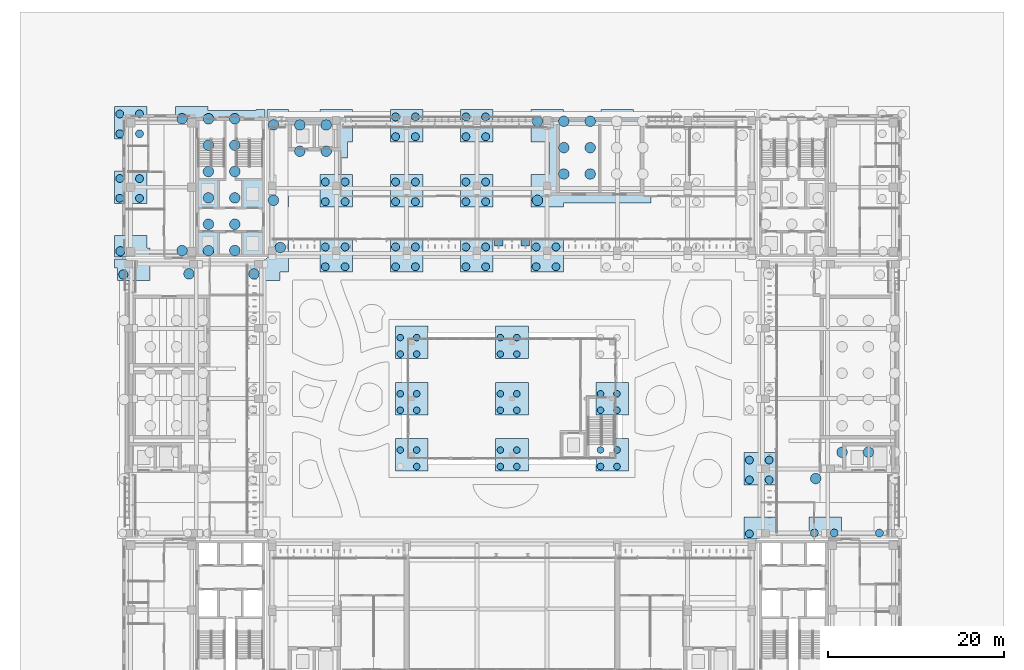
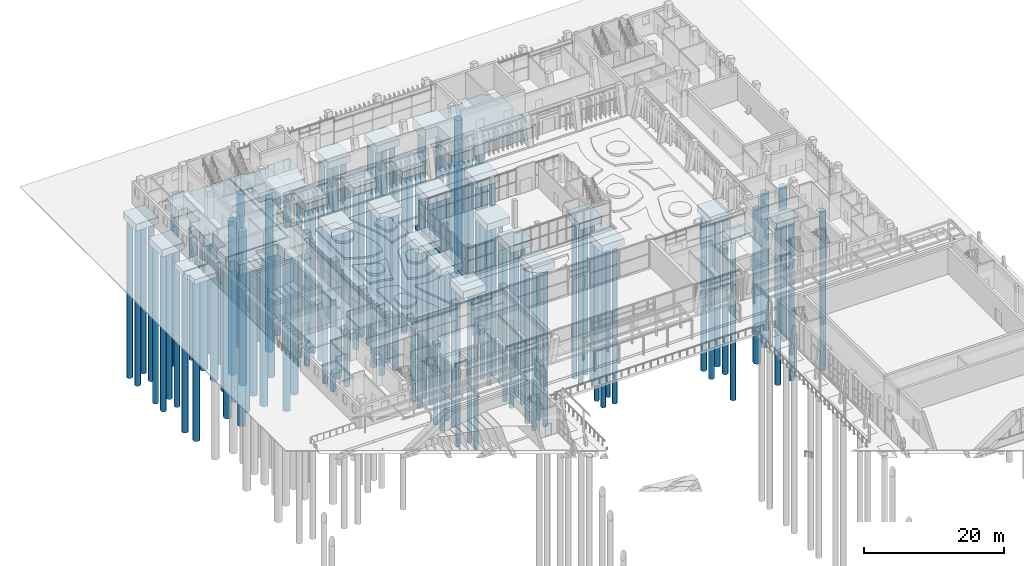
# One storey, part 2 of 144: 119 piles, 29 footings.
"""IFC4 building model written with IfcOpenShell, lengths in metres."""

from ifc_helpers import new_model, si_unit, direction, frame, origin, origin_2d, place, context, subcontext, project, spatial, polyline, rectangle, circle, outline, extrude, material, material_profile, profile_set, type_object, element, save


model = new_model("IFC4")

# Units and contexts
model_context = context("Model", 3, precision=1e-05, world=origin(), true_north=direction((0.0, 1.0)))
body_context = subcontext(model_context, "Body", "Model", "MODEL_VIEW")
ifc_project = project(units=[si_unit("LENGTHUNIT", "METRE"), si_unit("AREAUNIT", "SQUARE_METRE"), si_unit("VOLUMEUNIT", "CUBIC_METRE"), si_unit("PLANEANGLEUNIT", "RADIAN"), si_unit("MASSUNIT", "GRAM", prefix="KILO")], contexts=[model_context])

# Site, building, storey
site_placement = place(None, origin())
site = spatial("IfcSite", under=ifc_project, at=site_placement, CompositionType="ELEMENT")
building_placement = place(site_placement, origin())
building = spatial("IfcBuilding", under=site, at=building_placement, Name="Lantern Court Media Centre", CompositionType="ELEMENT")
storey_placement = place(building_placement, origin())
storey = spatial("IfcBuildingStorey", under=building, at=storey_placement, Name="L00", CompositionType="ELEMENT", Elevation=0.0)

# Piles
ifc_material = material(Name="Concrete C30", Category="concrete")
ifc_material_profile_1 = material_profile(ifc_material, circle(Radius=0.52490234375, at=origin_2d()), Name="D1050")
ifc_profile_set_1 = profile_set([ifc_material_profile_1], Name="Concrete C30")
pile_type_1 = type_object("IfcPileType", Name="BORED PILE D1050", PredefinedType="BORED", material=ifc_profile_set_1)
for number, where, z_axis, x_axis, name in (
    (1, (7.75830078125, 94.125, -2.25), (0.0, 0.0, -1.0), (1.0, 0.0, 0.0), "PL-025-000"),
    (2, (7.425048828125, 96.77490234375, -2.25), (0.0, 0.0, -1.0), (1.0, 0.0, 0.0), "PL-035-000"),
):
    element("IfcPile", number, at=place(storey_placement, frame(where, z_axis=z_axis, x_axis=x_axis)), inside=storey, type_object=pile_type_1, Name=name, PredefinedType="BORED", context=body_context, shape_type="SweptSolid", body=[
        extrude(circle(Radius=0.52490234375, at=origin_2d()), origin(), (0.0, 0.0, 1.0), 27.75),
    ])
ifc_material_profile_2 = material_profile(ifc_material, circle(Radius=0.60009765625, at=origin_2d()), Name="D1200")
ifc_profile_set_2 = profile_set([ifc_material_profile_2], Name="Concrete C30")
pile_type_2 = type_object("IfcPileType", Name="BORED PILE D1200", PredefinedType="BORED", material=ifc_profile_set_2)
for number, where, z_axis, x_axis, name in (
    (3, (86.566650390625, 70.89990234375, -3.25), (0.0, 0.0, -1.0), (1.0, 0.0, 0.0), "PL-011-000"),
    (4, (89.566650390625, 73.89990234375, -3.25), (0.0, 0.0, -1.0), (1.0, 0.0, 0.0), "PL-011-001"),
    (5, (92.566650390625, 73.89990234375, -3.25), (0.0, 0.0, -1.0), (1.0, 0.0, 0.0), "PL-011-007"),
    (6, (15.2333984375, 94.199951171875, -3.25), (0.0, 0.0, -1.0), (1.0, 0.0, 0.0), "PL-026-000"),
    (7, (22.63330078125, 94.199951171875, -3.25), (0.0, 0.0, -1.0), (1.0, 0.0, 0.0), "PL-026-001"),
    (8, (25.63330078125, 97.199951171875, -3.25), (0.0, 0.0, -1.0), (1.0, 0.0, 0.0), "PL-026-002"),
    (9, (24.85009765625, 102.566650390625, -3.25), (0.0, 0.0, -1.0), (1.0, 0.0, 0.0), "PL-026-003"),
    (10, (24.85009765625, 111.14990234375, -3.25), (0.0, 0.0, -1.0), (1.0, 0.0, 0.0), "PL-026-004"),
    (11, (27.85009765625, 108.14990234375, -3.25), (0.0, 0.0, -1.0), (1.0, 0.0, 0.0), "PL-026-005"),
    (12, (27.85009765625, 111.14990234375, -3.25), (0.0, 0.0, -1.0), (1.0, 0.0, 0.0), "PL-026-006"),
    (13, (30.85009765625, 108.14990234375, -3.25), (0.0, 0.0, -1.0), (1.0, 0.0, 0.0), "PL-026-007"),
    (14, (30.85009765625, 111.14990234375, -3.25), (0.0, 0.0, -1.0), (1.0, 0.0, 0.0), "PL-026-008"),
    (15, (14.449951171875, 96.85009765625, -3.25), (0.0, 0.0, -1.0), (1.0, 0.0, 0.0), "PL-036-000"),
    (16, (14.449951171875, 111.85009765625, -3.25), (0.0, 0.0, -1.0), (1.0, 0.0, 0.0), "PL-036-001"),
    (17, (17.449951171875, 96.85009765625, -3.25), (0.0, 0.0, -1.0), (1.0, 0.0, 0.0), "PL-036-002"),
    (18, (17.449951171875, 99.85009765625, -3.25), (0.0, 0.0, -1.0), (1.0, 0.0, 0.0), "PL-036-003"),
    (19, (17.449951171875, 102.85009765625, -3.25), (0.0, 0.0, -1.0), (1.0, 0.0, 0.0), "PL-036-004"),
    (20, (17.449951171875, 105.85009765625, -3.25), (0.0, 0.0, -1.0), (1.0, 0.0, 0.0), "PL-036-005"),
    (21, (17.449951171875, 108.85009765625, -3.25), (0.0, 0.0, -1.0), (1.0, 0.0, 0.0), "PL-036-006"),
    (22, (17.449951171875, 111.85009765625, -3.25), (0.0, 0.0, -1.0), (1.0, 0.0, 0.0), "PL-036-007"),
    (23, (20.449951171875, 96.85009765625, -3.25), (0.0, 0.0, -1.0), (1.0, 0.0, 0.0), "PL-036-008"),
    (24, (20.449951171875, 99.85009765625, -3.25), (0.0, 0.0, -1.0), (1.0, 0.0, 0.0), "PL-036-009"),
    (25, (20.449951171875, 102.85009765625, -3.25), (0.0, 0.0, -1.0), (1.0, 0.0, 0.0), "PL-036-010"),
    (26, (20.449951171875, 105.85009765625, -3.25), (0.0, 0.0, -1.0), (1.0, 0.0, 0.0), "PL-036-011"),
    (27, (20.449951171875, 108.85009765625, -3.25), (0.0, 0.0, -1.0), (1.0, 0.0, 0.0), "PL-036-012"),
    (28, (20.449951171875, 111.85009765625, -3.25), (0.0, 0.0, -1.0), (1.0, 0.0, 0.0), "PL-036-013"),
    (29, (54.89990234375, 102.566650390625, -3.25), (0.0, 0.0, -1.0), (1.0, 0.0, 0.0), "PL-042-000"),
    (30, (54.89990234375, 111.566650390625, -3.25), (0.0, 0.0, -1.0), (1.0, 0.0, 0.0), "PL-042-001"),
    (31, (57.89990234375, 105.566650390625, -3.25), (0.0, 0.0, -1.0), (1.0, 0.0, 0.0), "PL-042-002"),
    (32, (57.89990234375, 108.566650390625, -3.25), (0.0, 0.0, -1.0), (1.0, 0.0, 0.0), "PL-042-003"),
    (33, (57.89990234375, 111.566650390625, -3.25), (0.0, 0.0, -1.0), (1.0, 0.0, 0.0), "PL-042-004"),
    (34, (60.89990234375, 105.566650390625, -3.25), (0.0, 0.0, -1.0), (1.0, 0.0, 0.0), "PL-042-005"),
    (35, (60.89990234375, 108.566650390625, -3.25), (0.0, 0.0, -1.0), (1.0, 0.0, 0.0), "PL-042-006"),
    (36, (60.89990234375, 111.566650390625, -3.25), (0.0, 0.0, -1.0), (1.0, 0.0, 0.0), "PL-042-007"),
):
    element("IfcPile", number, at=place(storey_placement, frame(where, z_axis=z_axis, x_axis=x_axis)), inside=storey, type_object=pile_type_2, Name=name, PredefinedType="BORED", context=body_context, shape_type="SweptSolid", body=[
        extrude(circle(Radius=0.60009765625, at=origin_2d()), origin(), (0.0, 0.0, 1.0), 26.75),
    ])
ifc_material_profile_3 = material_profile(ifc_material, circle(Radius=0.375, at=origin_2d()), Name="D750")
ifc_profile_set_3 = profile_set([ifc_material_profile_3], Name="Concrete C30")
pile_type_3 = type_object("IfcPileType", Name="BORED PILE D750", PredefinedType="BORED", material=ifc_profile_set_3)
for number, where, z_axis, x_axis, name in (
    (37, (39.27490234375, 74.14990234375, -2.64990234375), (0.0, 0.0, -1.0), (1.0, 0.0, 0.0), "PL-012-001"),
    (38, (41.14990234375, 72.27490234375, -2.64990234375), (0.0, 0.0, -1.0), (1.0, 0.0, 0.0), "PL-012-002"),
    (39, (41.14990234375, 74.14990234375, -2.64990234375), (0.0, 0.0, -1.0), (1.0, 0.0, 0.0), "PL-012-003"),
    (40, (50.675048828125, 72.27490234375, -2.64990234375), (0.0, 0.0, -1.0), (1.0, 0.0, 0.0), "PL-013-000"),
    (41, (50.675048828125, 74.14990234375, -2.64990234375), (0.0, 0.0, -1.0), (1.0, 0.0, 0.0), "PL-013-001"),
    (42, (52.550048828125, 72.27490234375, -2.64990234375), (0.0, 0.0, -1.0), (1.0, 0.0, 0.0), "PL-013-002"),
    (43, (52.550048828125, 74.14990234375, -2.64990234375), (0.0, 0.0, -1.0), (1.0, 0.0, 0.0), "PL-013-003"),
    (44, (62.074951171875, 72.27490234375, -2.64990234375), (0.0, 0.0, -1.0), (1.0, 0.0, 0.0), "PL-014-000"),
    (45, (62.074951171875, 74.14990234375, -2.64990234375), (0.0, 0.0, -1.0), (1.0, 0.0, 0.0), "PL-014-001"),
    (46, (63.949951171875, 72.27490234375, -2.64990234375), (0.0, 0.0, -1.0), (1.0, 0.0, 0.0), "PL-014-002"),
    (47, (63.949951171875, 74.14990234375, -2.64990234375), (0.0, 0.0, -1.0), (1.0, 0.0, 0.0), "PL-014-003"),
    (48, (39.27490234375, 78.675048828125, -2.64990234375), (0.0, 0.0, -1.0), (1.0, 0.0, 0.0), "PL-016-000"),
    (49, (39.27490234375, 80.550048828125, -2.64990234375), (0.0, 0.0, -1.0), (1.0, 0.0, 0.0), "PL-016-001"),
    (50, (41.14990234375, 78.675048828125, -2.64990234375), (0.0, 0.0, -1.0), (1.0, 0.0, 0.0), "PL-016-002"),
    (51, (41.14990234375, 80.550048828125, -2.64990234375), (0.0, 0.0, -1.0), (1.0, 0.0, 0.0), "PL-016-003"),
    (52, (50.675048828125, 78.675048828125, -2.64990234375), (0.0, 0.0, -1.0), (1.0, 0.0, 0.0), "PL-017-000"),
    (53, (50.675048828125, 80.550048828125, -2.64990234375), (0.0, 0.0, -1.0), (1.0, 0.0, 0.0), "PL-017-001"),
    (54, (52.550048828125, 78.675048828125, -2.64990234375), (0.0, 0.0, -1.0), (1.0, 0.0, 0.0), "PL-017-002"),
    (55, (52.550048828125, 80.550048828125, -2.64990234375), (0.0, 0.0, -1.0), (1.0, 0.0, 0.0), "PL-017-003"),
    (56, (62.074951171875, 78.675048828125, -2.64990234375), (0.0, 0.0, -1.0), (1.0, 0.0, 0.0), "PL-018-000"),
    (57, (62.074951171875, 80.550048828125, -2.64990234375), (0.0, 0.0, -1.0), (1.0, 0.0, 0.0), "PL-018-001"),
    (58, (63.949951171875, 78.675048828125, -2.64990234375), (0.0, 0.0, -1.0), (1.0, 0.0, 0.0), "PL-018-002"),
    (59, (63.949951171875, 80.550048828125, -2.64990234375), (0.0, 0.0, -1.0), (1.0, 0.0, 0.0), "PL-018-003"),
    (60, (39.27490234375, 85.074951171875, -2.64990234375), (0.0, 0.0, -1.0), (1.0, 0.0, 0.0), "PL-020-000"),
    (61, (39.27490234375, 86.949951171875, -2.64990234375), (0.0, 0.0, -1.0), (1.0, 0.0, 0.0), "PL-020-001"),
    (62, (41.14990234375, 85.074951171875, -2.64990234375), (0.0, 0.0, -1.0), (1.0, 0.0, 0.0), "PL-020-002"),
    (63, (41.14990234375, 86.949951171875, -2.64990234375), (0.0, 0.0, -1.0), (1.0, 0.0, 0.0), "PL-020-003"),
    (64, (50.675048828125, 85.074951171875, -2.64990234375), (0.0, 0.0, -1.0), (1.0, 0.0, 0.0), "PL-021-000"),
    (65, (50.675048828125, 86.949951171875, -2.64990234375), (0.0, 0.0, -1.0), (1.0, 0.0, 0.0), "PL-021-001"),
    (66, (52.550048828125, 85.074951171875, -2.64990234375), (0.0, 0.0, -1.0), (1.0, 0.0, 0.0), "PL-021-002"),
    (67, (52.550048828125, 86.949951171875, -2.64990234375), (0.0, 0.0, -1.0), (1.0, 0.0, 0.0), "PL-021-003"),
):
    element("IfcPile", number, at=place(storey_placement, frame(where, z_axis=z_axis, x_axis=x_axis)), inside=storey, type_object=pile_type_3, Name=name, PredefinedType="BORED", context=body_context, shape_type="SweptSolid", body=[
        extrude(circle(Radius=0.375, at=origin_2d()), origin(), (0.0, 0.0, 1.0), 27.35009765625),
    ])
ifc_material_profile_4 = material_profile(ifc_material, circle(Radius=0.449951171875, at=origin_2d()), Name="D900")
ifc_profile_set_4 = profile_set([ifc_material_profile_4], Name="Concrete C30")
pile_type_4 = type_object("IfcPileType", Name="BORED PILE D900", PredefinedType="BORED", material=ifc_profile_set_4)
pile_placement = place(storey_placement, frame((79.0166015625, 64.6201171875, -2.25), z_axis=(0.0, 0.0, -1.0), x_axis=(1.0, 0.0, 0.0)))
element("IfcPile", 68, at=pile_placement, inside=storey, type_object=pile_type_4, Name="PL-003-000", PredefinedType="BORED", context=body_context, shape_type="SweptSolid", body=[
    extrude(circle(Radius=0.449951171875, at=origin_2d()), origin(), (0.0, 0.0, 1.0), 27.75),
])
for number, where, z_axis, x_axis, name in (
    (69, (86.416748046875, 64.699951171875, -2.35009765625), (0.0, 0.0, -1.0), (1.0, 0.0, 0.0), "PL-006-000"),
    (70, (88.666748046875, 64.699951171875, -2.35009765625), (0.0, 0.0, -1.0), (1.0, 0.0, 0.0), "PL-006-001"),
    (71, (93.816650390625, 64.699951171875, -2.35009765625), (0.0, 0.0, -1.0), (1.0, 0.0, 0.0), "PL-007-000"),
):
    element("IfcPile", number, at=place(storey_placement, frame(where, z_axis=z_axis, x_axis=x_axis)), inside=storey, type_object=pile_type_4, Name=name, PredefinedType="BORED", context=body_context, shape_type="SweptSolid", body=[
        extrude(circle(Radius=0.449951171875, at=origin_2d()), origin(), (0.0, 0.0, 1.0), 27.64990234375),
    ])
for number, where, z_axis, x_axis, name in (
    (72, (79.0166015625, 70.75, -2.64990234375), (0.0, 0.0, -1.0), (1.0, 0.0, 0.0), "PL-010-000"),
    (73, (79.0166015625, 73.0, -2.64990234375), (0.0, 0.0, -1.0), (1.0, 0.0, 0.0), "PL-010-001"),
    (74, (81.2666015625, 70.75, -2.64990234375), (0.0, 0.0, -1.0), (1.0, 0.0, 0.0), "PL-010-002"),
    (75, (81.2666015625, 73.0, -2.64990234375), (0.0, 0.0, -1.0), (1.0, 0.0, 0.0), "PL-010-003"),
    (76, (30.75, 95.0166015625, -2.64990234375), (0.0, 0.0, -1.0), (1.0, 0.0, 0.0), "PL-029-000"),
    (77, (30.75, 97.2666015625, -2.64990234375), (0.0, 0.0, -1.0), (1.0, 0.0, 0.0), "PL-029-001"),
    (78, (33.0, 95.0166015625, -2.64990234375), (0.0, 0.0, -1.0), (1.0, 0.0, 0.0), "PL-029-002"),
    (79, (33.0, 97.2666015625, -2.64990234375), (0.0, 0.0, -1.0), (1.0, 0.0, 0.0), "PL-029-003"),
    (80, (38.75, 95.0166015625, -2.64990234375), (0.0, 0.0, -1.0), (1.0, 0.0, 0.0), "PL-030-000"),
    (81, (38.75, 97.2666015625, -2.64990234375), (0.0, 0.0, -1.0), (1.0, 0.0, 0.0), "PL-030-001"),
    (82, (41.0, 95.0166015625, -2.64990234375), (0.0, 0.0, -1.0), (1.0, 0.0, 0.0), "PL-030-002"),
    (83, (41.0, 97.2666015625, -2.64990234375), (0.0, 0.0, -1.0), (1.0, 0.0, 0.0), "PL-030-003"),
    (84, (46.75, 95.0166015625, -2.64990234375), (0.0, 0.0, -1.0), (1.0, 0.0, 0.0), "PL-031-000"),
    (85, (46.75, 97.2666015625, -2.64990234375), (0.0, 0.0, -1.0), (1.0, 0.0, 0.0), "PL-031-001"),
    (86, (49.0, 95.0166015625, -2.64990234375), (0.0, 0.0, -1.0), (1.0, 0.0, 0.0), "PL-031-002"),
    (87, (49.0, 97.2666015625, -2.64990234375), (0.0, 0.0, -1.0), (1.0, 0.0, 0.0), "PL-031-003"),
    (88, (54.75, 95.0166015625, -2.64990234375), (0.0, 0.0, -1.0), (1.0, 0.0, 0.0), "PL-032-000"),
    (89, (54.75, 97.2666015625, -2.64990234375), (0.0, 0.0, -1.0), (1.0, 0.0, 0.0), "PL-032-001"),
    (90, (57.0, 95.0166015625, -2.64990234375), (0.0, 0.0, -1.0), (1.0, 0.0, 0.0), "PL-032-002"),
    (91, (57.0, 97.2666015625, -2.64990234375), (0.0, 0.0, -1.0), (1.0, 0.0, 0.0), "PL-032-003"),
    (92, (30.75, 102.416748046875, -2.64990234375), (0.0, 0.0, -1.0), (1.0, 0.0, 0.0), "PL-039-000"),
    (93, (30.75, 104.666748046875, -2.64990234375), (0.0, 0.0, -1.0), (1.0, 0.0, 0.0), "PL-039-001"),
    (94, (33.0, 102.416748046875, -2.64990234375), (0.0, 0.0, -1.0), (1.0, 0.0, 0.0), "PL-039-002"),
    (95, (33.0, 104.666748046875, -2.64990234375), (0.0, 0.0, -1.0), (1.0, 0.0, 0.0), "PL-039-003"),
    (96, (38.75, 102.416748046875, -2.64990234375), (0.0, 0.0, -1.0), (1.0, 0.0, 0.0), "PL-040-000"),
    (97, (38.75, 104.666748046875, -2.64990234375), (0.0, 0.0, -1.0), (1.0, 0.0, 0.0), "PL-040-001"),
    (98, (41.0, 102.416748046875, -2.64990234375), (0.0, 0.0, -1.0), (1.0, 0.0, 0.0), "PL-040-002"),
    (99, (41.0, 104.666748046875, -2.64990234375), (0.0, 0.0, -1.0), (1.0, 0.0, 0.0), "PL-040-003"),
    (100, (46.75, 102.416748046875, -2.64990234375), (0.0, 0.0, -1.0), (1.0, 0.0, 0.0), "PL-041-000"),
    (101, (46.75, 104.666748046875, -2.64990234375), (0.0, 0.0, -1.0), (1.0, 0.0, 0.0), "PL-041-001"),
    (102, (49.0, 102.416748046875, -2.64990234375), (0.0, 0.0, -1.0), (1.0, 0.0, 0.0), "PL-041-002"),
    (103, (49.0, 104.666748046875, -2.64990234375), (0.0, 0.0, -1.0), (1.0, 0.0, 0.0), "PL-041-003"),
    (104, (7.35009765625, 102.800048828125, -2.64990234375), (0.0, 0.0, -1.0), (1.0, 0.0, 0.0), "PL-044-000"),
    (105, (7.35009765625, 105.050048828125, -2.64990234375), (0.0, 0.0, -1.0), (1.0, 0.0, 0.0), "PL-044-001"),
    (106, (9.60009765625, 102.800048828125, -2.64990234375), (0.0, 0.0, -1.0), (1.0, 0.0, 0.0), "PL-044-002"),
    (107, (9.60009765625, 105.050048828125, -2.64990234375), (0.0, 0.0, -1.0), (1.0, 0.0, 0.0), "PL-044-003"),
    (108, (38.75, 109.816650390625, -2.64990234375), (0.0, 0.0, -1.0), (1.0, 0.0, 0.0), "PL-046-000"),
    (109, (38.75, 112.066650390625, -2.64990234375), (0.0, 0.0, -1.0), (1.0, 0.0, 0.0), "PL-046-001"),
    (110, (41.0, 109.816650390625, -2.64990234375), (0.0, 0.0, -1.0), (1.0, 0.0, 0.0), "PL-046-002"),
    (111, (41.0, 112.066650390625, -2.64990234375), (0.0, 0.0, -1.0), (1.0, 0.0, 0.0), "PL-046-003"),
    (112, (46.75, 109.816650390625, -2.64990234375), (0.0, 0.0, -1.0), (1.0, 0.0, 0.0), "PL-047-000"),
    (113, (46.75, 112.066650390625, -2.64990234375), (0.0, 0.0, -1.0), (1.0, 0.0, 0.0), "PL-047-001"),
    (114, (49.0, 109.816650390625, -2.64990234375), (0.0, 0.0, -1.0), (1.0, 0.0, 0.0), "PL-047-002"),
    (115, (49.0, 112.066650390625, -2.64990234375), (0.0, 0.0, -1.0), (1.0, 0.0, 0.0), "PL-047-003"),
    (116, (7.35009765625, 110.14990234375, -2.64990234375), (0.0, 0.0, -1.0), (1.0, 0.0, 0.0), "PL-049-000"),
    (117, (7.35009765625, 112.39990234375, -2.64990234375), (0.0, 0.0, -1.0), (1.0, 0.0, 0.0), "PL-049-001"),
    (118, (9.60009765625, 110.14990234375, -2.64990234375), (0.0, 0.0, -1.0), (1.0, 0.0, 0.0), "PL-049-002"),
    (119, (9.60009765625, 112.39990234375, -2.64990234375), (0.0, 0.0, -1.0), (1.0, 0.0, 0.0), "PL-049-003"),
):
    element("IfcPile", number, at=place(storey_placement, frame(where, z_axis=z_axis, x_axis=x_axis)), inside=storey, type_object=pile_type_4, Name=name, PredefinedType="BORED", context=body_context, shape_type="SweptSolid", body=[
        extrude(circle(Radius=0.449951171875, at=origin_2d()), origin(), (0.0, 0.0, 1.0), 27.35009765625),
    ])

# Footings
footing_type_1 = type_object("IfcFootingType", Name="Colonnade post pad footing 1000x1000x600", PredefinedType="PAD_FOOTING", material=ifc_material)
for number, where, z_axis, x_axis, name in (
    (120, (50.5, 97.860107421875, -0.85009765625), (0.0, 0.0, 1.0), (1.0, 0.0, 0.0), "Court bridge north pier pad 1"),
    (121, (53.5, 97.860107421875, -0.85009765625), (0.0, 0.0, 1.0), (1.0, 0.0, 0.0), "Court bridge north pier pad 2"),
):
    element("IfcFooting", number, at=place(storey_placement, frame(where, z_axis=z_axis, x_axis=x_axis)), inside=storey, type_object=footing_type_1, Name=name, PredefinedType="PAD_FOOTING", context=body_context, shape_type="SweptSolid", body=[
        extrude(rectangle(XDim=1.0, YDim=1.0, at=origin_2d()), origin(), (0.0, 0.0, 1.0), 0.60009765625),
    ])
footing_type_2 = type_object("IfcFootingType", Name="PILE CAP 1200", PredefinedType="PILE_CAP", material=ifc_material)
footing_1_placement = place(storey_placement, frame((0.0, 0.0, -2.800048828125)))
element("IfcFooting", 122, at=footing_1_placement, inside=storey, type_object=footing_type_2, Name="PC-010", PredefinedType="PILE_CAP", context=body_context, shape_type="SweptSolid", body=[
    extrude(outline(polyline([(78.416748046875, 70.14990234375), (78.416748046875, 73.85009765625), (82.11669921875, 73.85009765625), (82.11669921875, 70.14990234375), (78.416748046875, 70.14990234375)])), origin(), (0.0, 0.0, 1.0), 1.199951171875),
])
footing_2_placement = place(storey_placement, frame((0.0, 0.0, -2.800048828125)))
element("IfcFooting", 123, at=footing_2_placement, inside=storey, type_object=footing_type_2, Name="PC-012", PredefinedType="PILE_CAP", context=body_context, shape_type="SweptSolid", body=[
    extrude(outline(polyline([(38.75, 71.75), (38.75, 75.449951171875), (42.449951171875, 75.449951171875), (42.449951171875, 71.75), (38.75, 71.75)])), origin(), (0.0, 0.0, 1.0), 1.199951171875),
])
footing_3_placement = place(storey_placement, frame((0.0, 0.0, -2.800048828125)))
element("IfcFooting", 124, at=footing_3_placement, inside=storey, type_object=footing_type_2, Name="PC-013", PredefinedType="PILE_CAP", context=body_context, shape_type="SweptSolid", body=[
    extrude(outline(polyline([(53.85009765625, 71.75), (50.14990234375, 71.75), (50.14990234375, 75.449951171875), (53.85009765625, 75.449951171875), (53.85009765625, 71.75)])), origin(), (0.0, 0.0, 1.0), 1.199951171875),
])
footing_4_placement = place(storey_placement, frame((0.0, 0.0, -2.800048828125)))
element("IfcFooting", 125, at=footing_4_placement, inside=storey, type_object=footing_type_2, Name="PC-014", PredefinedType="PILE_CAP", context=body_context, shape_type="SweptSolid", body=[
    extrude(outline(polyline([(61.550048828125, 71.75), (61.550048828125, 75.449951171875), (65.25, 75.449951171875), (65.25, 71.75), (61.550048828125, 71.75)])), origin(), (0.0, 0.0, 1.0), 1.199951171875),
])
footing_5_placement = place(storey_placement, frame((0.0, 0.0, -2.800048828125)))
element("IfcFooting", 126, at=footing_5_placement, inside=storey, type_object=footing_type_2, Name="PC-016", PredefinedType="PILE_CAP", context=body_context, shape_type="SweptSolid", body=[
    extrude(outline(polyline([(42.449951171875, 78.14990234375), (38.75, 78.14990234375), (38.75, 81.85009765625), (42.449951171875, 81.85009765625), (42.449951171875, 78.14990234375)])), origin(), (0.0, 0.0, 1.0), 1.199951171875),
])
footing_6_placement = place(storey_placement, frame((0.0, 0.0, -2.800048828125)))
element("IfcFooting", 127, at=footing_6_placement, inside=storey, type_object=footing_type_2, Name="PC-017", PredefinedType="PILE_CAP", context=body_context, shape_type="SweptSolid", body=[
    extrude(outline(polyline([(50.14990234375, 78.14990234375), (50.14990234375, 81.85009765625), (53.85009765625, 81.85009765625), (53.85009765625, 78.14990234375), (50.14990234375, 78.14990234375)])), origin(), (0.0, 0.0, 1.0), 1.199951171875),
])
footing_7_placement = place(storey_placement, frame((0.0, 0.0, -2.800048828125)))
element("IfcFooting", 128, at=footing_7_placement, inside=storey, type_object=footing_type_2, Name="PC-018", PredefinedType="PILE_CAP", context=body_context, shape_type="SweptSolid", body=[
    extrude(outline(polyline([(65.25, 78.14990234375), (61.550048828125, 78.14990234375), (61.550048828125, 81.85009765625), (65.25, 81.85009765625), (65.25, 78.14990234375)])), origin(), (0.0, 0.0, 1.0), 1.199951171875),
])
footing_8_placement = place(storey_placement, frame((0.0, 0.0, -2.800048828125)))
element("IfcFooting", 129, at=footing_8_placement, inside=storey, type_object=footing_type_2, Name="PC-020", PredefinedType="PILE_CAP", context=body_context, shape_type="SweptSolid", body=[
    extrude(outline(polyline([(42.449951171875, 84.550048828125), (38.75, 84.550048828125), (38.75, 88.25), (42.449951171875, 88.25), (42.449951171875, 84.550048828125)])), origin(), (0.0, 0.0, 1.0), 1.199951171875),
])
footing_9_placement = place(storey_placement, frame((0.0, 0.0, -2.800048828125)))
element("IfcFooting", 130, at=footing_9_placement, inside=storey, type_object=footing_type_2, Name="PC-021", PredefinedType="PILE_CAP", context=body_context, shape_type="SweptSolid", body=[
    extrude(outline(polyline([(53.85009765625, 84.550048828125), (50.14990234375, 84.550048828125), (50.14990234375, 88.25), (53.85009765625, 88.25), (53.85009765625, 84.550048828125)])), origin(), (0.0, 0.0, 1.0), 1.199951171875),
])
footing_10_placement = place(storey_placement, frame((0.0, 0.0, -2.800048828125)))
element("IfcFooting", 131, at=footing_10_placement, inside=storey, type_object=footing_type_2, Name="PC-029", PredefinedType="PILE_CAP", context=body_context, shape_type="SweptSolid", body=[
    extrude(outline(polyline([(30.14990234375, 94.416748046875), (30.14990234375, 98.11669921875), (33.85009765625, 98.11669921875), (33.85009765625, 94.416748046875), (30.14990234375, 94.416748046875)])), origin(), (0.0, 0.0, 1.0), 1.199951171875),
])
footing_11_placement = place(storey_placement, frame((0.0, 0.0, -2.800048828125)))
element("IfcFooting", 132, at=footing_11_placement, inside=storey, type_object=footing_type_2, Name="PC-030", PredefinedType="PILE_CAP", context=body_context, shape_type="SweptSolid", body=[
    extrude(outline(polyline([(41.85009765625, 94.416748046875), (38.14990234375, 94.416748046875), (38.14990234375, 98.11669921875), (41.85009765625, 98.11669921875), (41.85009765625, 94.416748046875)])), origin(), (0.0, 0.0, 1.0), 1.199951171875),
])
footing_12_placement = place(storey_placement, frame((0.0, 0.0, -2.800048828125)))
element("IfcFooting", 133, at=footing_12_placement, inside=storey, type_object=footing_type_2, Name="PC-031", PredefinedType="PILE_CAP", context=body_context, shape_type="SweptSolid", body=[
    extrude(outline(polyline([(49.85009765625, 94.416748046875), (46.14990234375, 94.416748046875), (46.14990234375, 98.11669921875), (49.85009765625, 98.11669921875), (49.85009765625, 94.416748046875)])), origin(), (0.0, 0.0, 1.0), 1.199951171875),
])
footing_13_placement = place(storey_placement, frame((0.0, 0.0, -2.800048828125)))
element("IfcFooting", 134, at=footing_13_placement, inside=storey, type_object=footing_type_2, Name="PC-032", PredefinedType="PILE_CAP", context=body_context, shape_type="SweptSolid", body=[
    extrude(outline(polyline([(57.85009765625, 94.416748046875), (54.14990234375, 94.416748046875), (54.14990234375, 98.11669921875), (57.85009765625, 98.11669921875), (57.85009765625, 94.416748046875)])), origin(), (0.0, 0.0, 1.0), 1.199951171875),
])
footing_14_placement = place(storey_placement, frame((0.0, 0.0, -2.800048828125)))
element("IfcFooting", 135, at=footing_14_placement, inside=storey, type_object=footing_type_2, Name="PC-039", PredefinedType="PILE_CAP", context=body_context, shape_type="SweptSolid", body=[
    extrude(outline(polyline([(33.85009765625, 101.816650390625), (30.14990234375, 101.816650390625), (30.14990234375, 105.5166015625), (33.85009765625, 105.5166015625), (33.85009765625, 101.816650390625)])), origin(), (0.0, 0.0, 1.0), 1.199951171875),
])
footing_15_placement = place(storey_placement, frame((0.0, 0.0, -2.800048828125)))
element("IfcFooting", 136, at=footing_15_placement, inside=storey, type_object=footing_type_2, Name="PC-040", PredefinedType="PILE_CAP", context=body_context, shape_type="SweptSolid", body=[
    extrude(outline(polyline([(41.85009765625, 101.816650390625), (38.14990234375, 101.816650390625), (38.14990234375, 105.5166015625), (41.85009765625, 105.5166015625), (41.85009765625, 101.816650390625)])), origin(), (0.0, 0.0, 1.0), 1.199951171875),
])
footing_16_placement = place(storey_placement, frame((0.0, 0.0, -2.800048828125)))
element("IfcFooting", 137, at=footing_16_placement, inside=storey, type_object=footing_type_2, Name="PC-041", PredefinedType="PILE_CAP", context=body_context, shape_type="SweptSolid", body=[
    extrude(outline(polyline([(46.14990234375, 101.816650390625), (46.14990234375, 105.5166015625), (49.85009765625, 105.5166015625), (49.85009765625, 101.816650390625), (46.14990234375, 101.816650390625)])), origin(), (0.0, 0.0, 1.0), 1.199951171875),
])
footing_17_placement = place(storey_placement, frame((0.0, 0.0, -2.800048828125)))
element("IfcFooting", 138, at=footing_17_placement, inside=storey, type_object=footing_type_2, Name="PC-044", PredefinedType="PILE_CAP", context=body_context, shape_type="SweptSolid", body=[
    extrude(outline(polyline([(6.75, 102.199951171875), (6.75, 105.89990234375), (10.449951171875, 105.89990234375), (10.449951171875, 102.199951171875), (6.75, 102.199951171875)])), origin(), (0.0, 0.0, 1.0), 1.199951171875),
])
footing_18_placement = place(storey_placement, frame((0.0, 0.0, -2.800048828125)))
element("IfcFooting", 139, at=footing_18_placement, inside=storey, type_object=footing_type_2, Name="PC-046", PredefinedType="PILE_CAP", context=body_context, shape_type="SweptSolid", body=[
    extrude(outline(polyline([(41.85009765625, 109.216552734375), (38.14990234375, 109.216552734375), (38.14990234375, 112.916748046875), (41.85009765625, 112.916748046875), (41.85009765625, 109.216552734375)])), origin(), (0.0, 0.0, 1.0), 1.199951171875),
])
footing_19_placement = place(storey_placement, frame((0.0, 0.0, -2.800048828125)))
element("IfcFooting", 140, at=footing_19_placement, inside=storey, type_object=footing_type_2, Name="PC-047", PredefinedType="PILE_CAP", context=body_context, shape_type="SweptSolid", body=[
    extrude(outline(polyline([(49.85009765625, 109.216552734375), (46.14990234375, 109.216552734375), (46.14990234375, 112.916748046875), (49.85009765625, 112.916748046875), (49.85009765625, 109.216552734375)])), origin(), (0.0, 0.0, 1.0), 1.199951171875),
])
footing_20_placement = place(storey_placement, frame((0.0, 0.0, -2.800048828125)))
element("IfcFooting", 141, at=footing_20_placement, inside=storey, type_object=footing_type_2, Name="PC-049", PredefinedType="PILE_CAP", context=body_context, shape_type="SweptSolid", body=[
    extrude(outline(polyline([(10.449951171875, 109.550048828125), (6.75, 109.550048828125), (6.75, 113.25), (10.449951171875, 113.25), (10.449951171875, 109.550048828125)])), origin(), (0.0, 0.0, 1.0), 1.199951171875),
])
footing_type_3 = type_object("IfcFootingType", Name="PILE CAP 1800", PredefinedType="PILE_CAP", material=ifc_material)
footing_21_placement = place(storey_placement, frame((0.0, 0.0, -3.39990234375)))
element("IfcFooting", 142, at=footing_21_placement, inside=storey, type_object=footing_type_3, Name="PC-026", PredefinedType="PILE_CAP", context=body_context, shape_type="SweptSolid", body=[
    extrude(outline(polyline([(26.550048828125, 112.916748046875), (26.550048828125, 112.39990234375), (30.14990234375, 112.39990234375), (30.14990234375, 112.916748046875), (33.85009765625, 112.916748046875), (33.85009765625, 109.216552734375), (33.300048828125, 109.216552734375), (33.300048828125, 107.39990234375), (25.699951171875, 107.39990234375), (25.699951171875, 109.216552734375), (24.699951171875, 109.216552734375), (24.699951171875, 105.5166015625), (26.550048828125, 105.5166015625), (26.550048828125, 101.816650390625), (24.699951171875, 101.816650390625), (24.699951171875, 98.11669921875), (26.550048828125, 98.11669921875), (26.550048828125, 94.416748046875), (25.583251953125, 94.416748046875), (25.583251953125, 93.449951171875), (21.88330078125, 93.449951171875), (21.88330078125, 95.300048828125), (18.183349609375, 95.300048828125), (18.183349609375, 93.449951171875), (14.4833984375, 93.449951171875), (14.4833984375, 94.85009765625), (13.699951171875, 94.85009765625), (13.699951171875, 95.89990234375), (24.0, 95.89990234375), (24.0, 96.0), (24.10009765625, 96.0), (24.10009765625, 112.916748046875), (26.550048828125, 112.916748046875)])), origin(), (0.0, 0.0, 1.0), 1.7998046875),
])
footing_22_placement = place(storey_placement, frame((0.0, 0.0, -3.39990234375)))
element("IfcFooting", 143, at=footing_22_placement, inside=storey, type_object=footing_type_3, Name="PC-036", PredefinedType="PILE_CAP", context=body_context, shape_type="SweptSolid", body=[
    extrude(outline(polyline([(13.699951171875, 105.89990234375), (15.199951171875, 105.89990234375), (15.199951171875, 109.550048828125), (13.699951171875, 109.550048828125), (13.699951171875, 113.25), (17.39990234375, 113.25), (17.39990234375, 112.800048828125), (22.85009765625, 112.800048828125), (22.85009765625, 112.916748046875), (23.89990234375, 112.916748046875), (23.89990234375, 96.10009765625), (13.699951171875, 96.10009765625), (13.699951171875, 98.550048828125), (15.199951171875, 98.550048828125), (15.199951171875, 102.199951171875), (13.699951171875, 102.199951171875), (13.699951171875, 105.89990234375)])), origin(), (0.0, 0.0, 1.0), 1.7998046875),
])
footing_23_placement = place(storey_placement, frame((0.0, 0.0, -3.39990234375)))
element("IfcFooting", 144, at=footing_23_placement, inside=storey, type_object=footing_type_3, Name="PC-042", PredefinedType="PILE_CAP", context=body_context, shape_type="SweptSolid", body=[
    extrude(outline(polyline([(54.14990234375, 109.216552734375), (54.14990234375, 112.916748046875), (57.85009765625, 112.916748046875), (57.85009765625, 112.39990234375), (62.14990234375, 112.39990234375), (62.14990234375, 112.916748046875), (65.85009765625, 112.916748046875), (65.85009765625, 112.39990234375), (67.800048828125, 112.39990234375), (67.800048828125, 102.25), (57.85009765625, 102.25), (57.85009765625, 101.816650390625), (54.14990234375, 101.816650390625), (54.14990234375, 105.5166015625), (56.199951171875, 105.5166015625), (56.199951171875, 109.216552734375), (54.14990234375, 109.216552734375)])), origin(), (0.0, 0.0, 1.0), 1.7998046875),
])
footing_type_4 = type_object("IfcFootingType", Name="PILE CAP 800", PredefinedType="PILE_CAP", material=ifc_material)
footing_24_placement = place(storey_placement, frame((0.0, 0.0, -2.39990234375)))
element("IfcFooting", 145, at=footing_24_placement, inside=storey, type_object=footing_type_4, Name="PC-003", PredefinedType="PILE_CAP", context=body_context, shape_type="SweptSolid", body=[
    extrude(outline(polyline([(82.11669921875, 64.10009765625), (80.0, 64.10009765625), (80.0, 64.02001953125), (78.416748046875, 64.02001953125), (78.416748046875, 66.550048828125), (82.11669921875, 66.550048828125), (82.11669921875, 64.10009765625)])), origin(), (0.0, 0.0, 1.0), 0.7998046875),
])
footing_25_placement = place(storey_placement, frame((0.0, 0.0, -2.39990234375)))
element("IfcFooting", 146, at=footing_25_placement, inside=storey, type_object=footing_type_4, Name="PC-025", PredefinedType="PILE_CAP", context=body_context, shape_type="SweptSolid", body=[
    extrude(outline(polyline([(10.783447265625, 93.449951171875), (7.083251953125, 93.449951171875), (7.083251953125, 94.85009765625), (6.75, 94.85009765625), (6.75, 95.89990234375), (10.783447265625, 95.89990234375), (10.783447265625, 93.449951171875)])), origin(), (0.0, 0.0, 1.0), 0.7998046875),
])
footing_26_placement = place(storey_placement, frame((0.0, 0.0, -2.39990234375)))
element("IfcFooting", 147, at=footing_26_placement, inside=storey, type_object=footing_type_4, Name="PC-035", PredefinedType="PILE_CAP", context=body_context, shape_type="SweptSolid", body=[
    extrude(outline(polyline([(10.449951171875, 98.550048828125), (10.449951171875, 97.14990234375), (10.783447265625, 97.14990234375), (10.783447265625, 96.10009765625), (6.75, 96.10009765625), (6.75, 98.550048828125), (10.449951171875, 98.550048828125)])), origin(), (0.0, 0.0, 1.0), 0.7998046875),
])
footing_type_5 = type_object("IfcFootingType", Name="PILE CAP 900", PredefinedType="PILE_CAP", material=ifc_material)
footing_27_placement = place(storey_placement, frame((0.0, 0.0, -2.5)))
element("IfcFooting", 148, at=footing_27_placement, inside=storey, type_object=footing_type_5, Name="PC-006", PredefinedType="PILE_CAP", context=body_context, shape_type="SweptSolid", body=[
    extrude(outline(polyline([(89.5166015625, 64.10009765625), (85.816650390625, 64.10009765625), (85.816650390625, 66.550048828125), (89.5166015625, 66.550048828125), (89.5166015625, 64.10009765625)])), origin(), (0.0, 0.0, 1.0), 0.89990234375),
])

save(model, "model.ifc")
